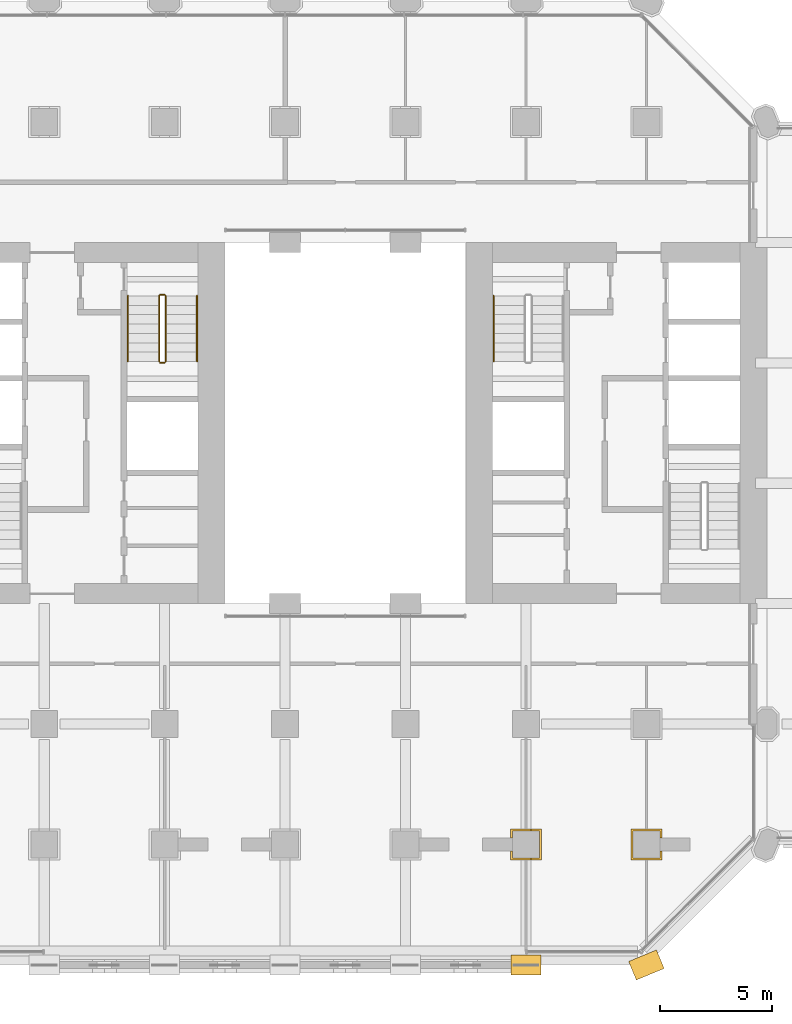
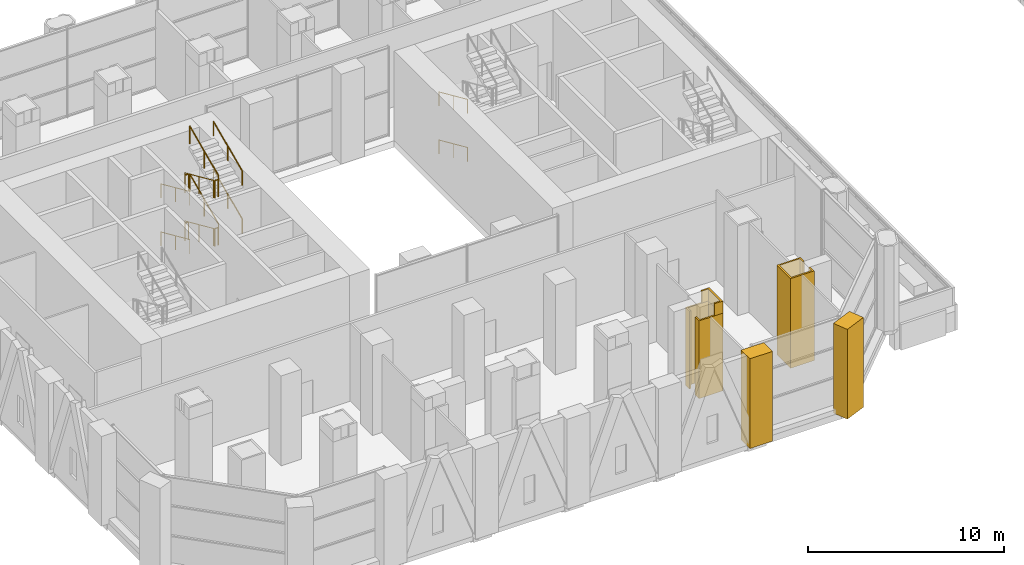
# One storey, part 24 of 34: 14 railings, 5 coverings.
"""IFC4 building model written with IfcOpenShell, lengths in metres."""

from ifc_helpers import new_model, si_unit, direction, frame, frame_2d, origin, origin_2d, place, context, subcontext, project, spatial, polyline, rectangle, circle, outline, extrude, material, layer, layer_set, type_object, element, save


model = new_model("IFC4")

# Units and contexts
model_context = context("Model", 3, precision=1e-05, world=origin(), true_north=direction((0.0, 1.0)))
body_context = subcontext(model_context, "Body", "Model", "MODEL_VIEW")
ifc_project = project(units=[si_unit("LENGTHUNIT", "METRE"), si_unit("AREAUNIT", "SQUARE_METRE"), si_unit("VOLUMEUNIT", "CUBIC_METRE"), si_unit("PLANEANGLEUNIT", "RADIAN"), si_unit("MASSUNIT", "GRAM", prefix="KILO")], contexts=[model_context])

# Site, building, storey
site_placement = place(None, origin())
site = spatial("IfcSite", under=ifc_project, at=site_placement, CompositionType="ELEMENT")
building_placement = place(site_placement, origin())
building = spatial("IfcBuilding", under=site, at=building_placement, Name="Tabaq Tower and Sports Hall", CompositionType="ELEMENT")
storey_placement = place(building_placement, frame((0.0, 0.0, 8.39990234375)))
storey = spatial("IfcBuildingStorey", under=building, at=storey_placement, Name="L01", CompositionType="ELEMENT", Elevation=8.39990234375)

# Coverings
ifc_material_1 = material(Name="Precast concrete C60/75", Category="concrete")
ifc_layer = layer(ifc_material_1, 0.10009765625)
ifc_layer_set = layer_set([ifc_layer], Name="Column cladding 100")
covering_type_1 = type_object("IfcCoveringType", Name="Column cladding 100", PredefinedType="CLADDING", material=ifc_layer_set)
covering_1_placement = place(storey_placement, origin())
element("IfcCovering", 1, at=covering_1_placement, inside=storey, type_object=covering_type_1, Name="Column cladding L01 CC-7B-P", PredefinedType="CLADDING", context=body_context, shape_type="SweptSolid", body=[
    extrude(outline(polyline([(33.099609375, 6.099609375), (33.099609375, 4.7001953125), (31.7001953125, 4.7001953125), (31.7001953125, 5.099609375), (31.7998046875, 5.099609375), (31.7998046875, 4.7998046875), (33.000244140625, 4.7998046875), (33.000244140625, 6.000244140625), (31.7998046875, 6.000244140625), (31.7998046875, 5.7001953125), (31.7001953125, 5.7001953125), (31.7001953125, 6.099609375), (33.099609375, 6.099609375)])), origin(), (0.0, 0.0, 1.0), 4.85009765625),
])
covering_2_placement = place(storey_placement, frame((0.0, 0.0, 4.85009765625)))
element("IfcCovering", 2, at=covering_2_placement, inside=storey, type_object=covering_type_1, Name="Column cladding L01 CC-7B-P head", PredefinedType="CLADDING", context=body_context, shape_type="SweptSolid", body=[
    extrude(outline(polyline([(32.62548828125, 4.79931640625), (33.00048828125, 4.79931640625), (33.00048828125, 6.00048828125), (32.62548828125, 6.00048828125), (32.62548828125, 6.099365234375), (33.099365234375, 6.099365234375), (33.099365234375, 4.70068359375), (32.62548828125, 4.70068359375), (32.62548828125, 4.79931640625)])), origin(), (0.0, 0.0, 1.0), 0.75),
])
covering_3_placement = place(storey_placement, origin())
element("IfcCovering", 3, at=covering_3_placement, inside=storey, type_object=covering_type_1, Name="Column cladding L01 CC-8B-P", PredefinedType="CLADDING", context=body_context, shape_type="SweptSolid", body=[
    extrude(outline(polyline([(38.499755859375, 6.099609375), (38.499755859375, 5.7001953125), (38.400390625, 5.7001953125), (38.400390625, 6.000244140625), (37.19970703125, 6.000244140625), (37.19970703125, 4.7998046875), (38.400390625, 4.7998046875), (38.400390625, 5.099609375), (38.499755859375, 5.099609375), (38.499755859375, 4.7001953125), (37.100341796875, 4.7001953125), (37.100341796875, 6.099609375), (38.499755859375, 6.099609375)])), origin(), (0.0, 0.0, 1.0), 5.60009765625),
])
ifc_material_2 = material(Name="White precast concrete C60/75", Category="concrete")
covering_type_2 = type_object("IfcCoveringType", Name="Pier cladding hung 1350x900", PredefinedType="CLADDING", material=ifc_material_2)
covering_4_placement = place(storey_placement, frame((31.72509765625, 0.0, 0.0), z_axis=(0.0, 0.0, 1.0), x_axis=(1.0, 0.0, 0.0)))
element("IfcCovering", 4, at=covering_4_placement, inside=storey, type_object=covering_type_2, Name="Hung pier cladding 6/0", PredefinedType="CLADDING", context=body_context, shape_type="SweptSolid", body=[
    extrude(rectangle(XDim=1.349853515625, YDim=0.89990234375, at=frame_2d((0.6748046875, 0.0))), origin(), (0.0, 0.0, 1.0), 5.60009765625),
])
covering_5_placement = place(storey_placement, frame((37.17626953125, -0.25830078125, 0.0), z_axis=(0.0, 0.0, 1.0), x_axis=(0.923893411637, 0.382649923473, 0.0)))
element("IfcCovering", 5, at=covering_5_placement, inside=storey, type_object=covering_type_2, Name="Hung pier cladding 7/0", PredefinedType="CLADDING", context=body_context, shape_type="SweptSolid", body=[
    extrude(rectangle(XDim=1.35009765625, YDim=0.89990234375, at=frame_2d((0.675048828125, 0.0))), origin(), (0.0, 0.0, 1.0), 5.60009765625),
])

# Railings
ifc_material_3 = material(Name="Stainless steel", Category="steel")
railing_type_1 = type_object("IfcRailingType", Name="Stair guard", PredefinedType="GUARDRAIL", material=ifc_material_3)
railing_1_placement = place(storey_placement, frame((15.949951171875, 30.0, 0.1875)))
element("IfcRailing", 6, at=railing_1_placement, inside=storey, type_object=railing_type_1, Name="L01 ST2 stair guard 1", PredefinedType="GUARDRAIL", context=body_context, shape_type="SweptSolid", body=[
    extrude(circle(Radius=0.02392578125, at=origin_2d()), frame((0.0, 0.0, 1.076171875), z_axis=(0.0, -0.913134858117, 0.407657614785), x_axis=(1.0, 0.0, 0.0)), (0.0, 0.0, 1.0), 3.2197265625),
    extrude(circle(Radius=0.02099609375, at=origin_2d()), origin(), (0.0, 0.0, 1.0), 1.052001953125),
    extrude(circle(Radius=0.02099609375, at=origin_2d()), frame((0.0, -1.469970703125, 0.65625)), (0.0, 0.0, 1.0), 1.052001953125),
    extrude(circle(Radius=0.02099609375, at=origin_2d()), frame((0.0, -2.93994140625, 1.3125)), (0.0, 0.0, 1.0), 1.052001953125),
])
railing_2_placement = place(storey_placement, frame((16.0, 27.010009765625, 1.5)))
element("IfcRailing", 7, at=railing_2_placement, inside=storey, type_object=railing_type_1, Name="L01 ST2 stair guard 2", PredefinedType="GUARDRAIL", context=body_context, shape_type="SweptSolid", body=[
    extrude(circle(Radius=0.02392578125, at=origin_2d()), frame((0.0, 0.0, 1.076171875), z_axis=(1.0, 0.0, 0.0), x_axis=(0.0, 1.0, 0.0)), (0.0, 0.0, 1.0), 0.199951171875),
    extrude(circle(Radius=0.02099609375, at=origin_2d()), origin(), (0.0, 0.0, 1.0), 1.052001953125),
    extrude(circle(Radius=0.02099609375, at=origin_2d()), frame((0.199951171875, 0.0, 0.0)), (0.0, 0.0, 1.0), 1.052001953125),
])
railing_3_placement = place(storey_placement, frame((16.25, 27.06005859375, 1.6875)))
element("IfcRailing", 8, at=railing_3_placement, inside=storey, type_object=railing_type_1, Name="L01 ST2 stair guard 3", PredefinedType="GUARDRAIL", context=body_context, shape_type="SweptSolid", body=[
    extrude(circle(Radius=0.02392578125, at=origin_2d()), frame((0.0, 0.0, 1.076171875), z_axis=(0.0, 0.913134858117, 0.407657614785), x_axis=(-1.0, 0.0, 0.0)), (0.0, 0.0, 1.0), 3.2197265625),
    extrude(circle(Radius=0.02099609375, at=origin_2d()), origin(), (0.0, 0.0, 1.0), 1.052001953125),
    extrude(circle(Radius=0.02099609375, at=origin_2d()), frame((0.0, 1.469970703125, 0.65625)), (0.0, 0.0, 1.0), 1.052001953125),
    extrude(circle(Radius=0.02099609375, at=origin_2d()), frame((0.0, 2.93994140625, 1.3125)), (0.0, 0.0, 1.0), 1.052001953125),
])
railing_4_placement = place(storey_placement, frame((16.0, 30.050048828125, 3.0)))
element("IfcRailing", 9, at=railing_4_placement, inside=storey, type_object=railing_type_1, Name="L01 ST2 stair guard 4", PredefinedType="GUARDRAIL", context=body_context, shape_type="SweptSolid", body=[
    extrude(circle(Radius=0.02392578125, at=origin_2d()), frame((0.0, 0.0, 1.076171875), z_axis=(1.0, 0.0, 0.0), x_axis=(0.0, 1.0, 0.0)), (0.0, 0.0, 1.0), 0.199951171875),
    extrude(circle(Radius=0.02099609375, at=origin_2d()), origin(), (0.0, 0.0, 1.0), 1.052001953125),
    extrude(circle(Radius=0.02099609375, at=origin_2d()), frame((0.199951171875, 0.0, 0.0)), (0.0, 0.0, 1.0), 1.052001953125),
])
railing_5_placement = place(storey_placement, frame((15.949951171875, 30.0, 3.1875)))
element("IfcRailing", 10, at=railing_5_placement, inside=storey, type_object=railing_type_1, Name="L01 ST2 stair guard 5", PredefinedType="GUARDRAIL", context=body_context, shape_type="SweptSolid", body=[
    extrude(circle(Radius=0.02392578125, at=origin_2d()), frame((0.0, 0.0, 1.076171875), z_axis=(0.0, -0.913134858117, 0.407657614785), x_axis=(1.0, 0.0, 0.0)), (0.0, 0.0, 1.0), 3.2197265625),
    extrude(circle(Radius=0.02099609375, at=origin_2d()), origin(), (0.0, 0.0, 1.0), 1.052001953125),
    extrude(circle(Radius=0.02099609375, at=origin_2d()), frame((0.0, -1.469970703125, 0.65625)), (0.0, 0.0, 1.0), 1.052001953125),
    extrude(circle(Radius=0.02099609375, at=origin_2d()), frame((0.0, -2.93994140625, 1.3125)), (0.0, 0.0, 1.0), 1.052001953125),
])
railing_6_placement = place(storey_placement, frame((16.0, 27.010009765625, 4.5)))
element("IfcRailing", 11, at=railing_6_placement, inside=storey, type_object=railing_type_1, Name="L01 ST2 stair guard 6", PredefinedType="GUARDRAIL", context=body_context, shape_type="SweptSolid", body=[
    extrude(circle(Radius=0.02392578125, at=origin_2d()), frame((0.0, 0.0, 1.076171875), z_axis=(1.0, 0.0, 0.0), x_axis=(0.0, 1.0, 0.0)), (0.0, 0.0, 1.0), 0.199951171875),
    extrude(circle(Radius=0.02099609375, at=origin_2d()), origin(), (0.0, 0.0, 1.0), 1.052001953125),
    extrude(circle(Radius=0.02099609375, at=origin_2d()), frame((0.199951171875, 0.0, 0.0)), (0.0, 0.0, 1.0), 1.052001953125),
])
railing_7_placement = place(storey_placement, frame((16.25, 27.06005859375, 4.6875)))
element("IfcRailing", 12, at=railing_7_placement, inside=storey, type_object=railing_type_1, Name="L01 ST2 stair guard 7", PredefinedType="GUARDRAIL", context=body_context, shape_type="SweptSolid", body=[
    extrude(circle(Radius=0.02392578125, at=origin_2d()), frame((0.0, 0.0, 1.076171875), z_axis=(0.0, 0.913134858117, 0.407657614785), x_axis=(-1.0, 0.0, 0.0)), (0.0, 0.0, 1.0), 3.2197265625),
    extrude(circle(Radius=0.02099609375, at=origin_2d()), origin(), (0.0, 0.0, 1.0), 1.052001953125),
    extrude(circle(Radius=0.02099609375, at=origin_2d()), frame((0.0, 1.469970703125, 0.65625)), (0.0, 0.0, 1.0), 1.052001953125),
    extrude(circle(Radius=0.02099609375, at=origin_2d()), frame((0.0, 2.93994140625, 1.3125)), (0.0, 0.0, 1.0), 1.052001953125),
])
railing_8_placement = place(storey_placement, frame((16.0, 30.050048828125, 0.0)))
element("IfcRailing", 13, at=railing_8_placement, inside=storey, type_object=railing_type_1, Name="L01 ST2 stair guard 8", PredefinedType="GUARDRAIL", context=body_context, shape_type="SweptSolid", body=[
    extrude(circle(Radius=0.02392578125, at=origin_2d()), frame((0.0, 0.0, 1.076171875), z_axis=(1.0, 0.0, 0.0), x_axis=(0.0, 1.0, 0.0)), (0.0, 0.0, 1.0), 0.199951171875),
    extrude(circle(Radius=0.02099609375, at=origin_2d()), origin(), (0.0, 0.0, 1.0), 1.052001953125),
    extrude(circle(Radius=0.02099609375, at=origin_2d()), frame((0.199951171875, 0.0, 0.0)), (0.0, 0.0, 1.0), 1.052001953125),
])
ifc_material_4 = material(Name="Stainless steel", Category="steel")
railing_type_2 = type_object("IfcRailingType", Name="Stair handrail", PredefinedType="HANDRAIL", material=ifc_material_4)
railing_9_placement = place(storey_placement, frame((14.550048828125, 30.0, 0.1875)))
element("IfcRailing", 14, at=railing_9_placement, inside=storey, type_object=railing_type_2, Name="L01 ST2 stair handrail 1", PredefinedType="HANDRAIL", context=body_context, shape_type="SweptSolid", body=[
    extrude(circle(Radius=0.02392578125, at=origin_2d()), frame((0.0, 0.0, 0.8759765625), z_axis=(0.0, -0.913134858117, 0.407657614785), x_axis=(1.0, 0.0, 0.0)), (0.0, 0.0, 1.0), 3.2197265625),
    extrude(circle(Radius=0.02099609375, at=origin_2d()), origin(), (0.0, 0.0, 1.0), 0.851806640625),
    extrude(circle(Radius=0.02099609375, at=origin_2d()), frame((0.0, -1.469970703125, 0.65625)), (0.0, 0.0, 1.0), 0.851806640625),
    extrude(circle(Radius=0.02099609375, at=origin_2d()), frame((0.0, -2.93994140625, 1.3125)), (0.0, 0.0, 1.0), 0.851806640625),
])
railing_10_placement = place(storey_placement, frame((17.64990234375, 27.06005859375, 1.6875)))
element("IfcRailing", 15, at=railing_10_placement, inside=storey, type_object=railing_type_2, Name="L01 ST2 stair handrail 2", PredefinedType="HANDRAIL", context=body_context, shape_type="SweptSolid", body=[
    extrude(circle(Radius=0.02392578125, at=origin_2d()), frame((0.0, 0.0, 0.8759765625), z_axis=(0.0, 0.913134858117, 0.407657614785), x_axis=(-1.0, 0.0, 0.0)), (0.0, 0.0, 1.0), 3.2197265625),
    extrude(circle(Radius=0.02099609375, at=origin_2d()), origin(), (0.0, 0.0, 1.0), 0.851806640625),
    extrude(circle(Radius=0.02099609375, at=origin_2d()), frame((0.0, 1.469970703125, 0.65625)), (0.0, 0.0, 1.0), 0.851806640625),
    extrude(circle(Radius=0.02099609375, at=origin_2d()), frame((0.0, 2.93994140625, 1.3125)), (0.0, 0.0, 1.0), 0.851806640625),
])
railing_11_placement = place(storey_placement, frame((14.550048828125, 30.0, 3.1875)))
element("IfcRailing", 16, at=railing_11_placement, inside=storey, type_object=railing_type_2, Name="L01 ST2 stair handrail 3", PredefinedType="HANDRAIL", context=body_context, shape_type="SweptSolid", body=[
    extrude(circle(Radius=0.02392578125, at=origin_2d()), frame((0.0, 0.0, 0.8759765625), z_axis=(0.0, -0.913134858117, 0.407657614785), x_axis=(1.0, 0.0, 0.0)), (0.0, 0.0, 1.0), 3.2197265625),
    extrude(circle(Radius=0.02099609375, at=origin_2d()), origin(), (0.0, 0.0, 1.0), 0.851806640625),
    extrude(circle(Radius=0.02099609375, at=origin_2d()), frame((0.0, -1.469970703125, 0.65625)), (0.0, 0.0, 1.0), 0.851806640625),
    extrude(circle(Radius=0.02099609375, at=origin_2d()), frame((0.0, -2.93994140625, 1.3125)), (0.0, 0.0, 1.0), 0.851806640625),
])
railing_12_placement = place(storey_placement, frame((17.64990234375, 27.06005859375, 4.6875)))
element("IfcRailing", 17, at=railing_12_placement, inside=storey, type_object=railing_type_2, Name="L01 ST2 stair handrail 4", PredefinedType="HANDRAIL", context=body_context, shape_type="SweptSolid", body=[
    extrude(circle(Radius=0.02392578125, at=origin_2d()), frame((0.0, 0.0, 0.8759765625), z_axis=(0.0, 0.913134858117, 0.407657614785), x_axis=(-1.0, 0.0, 0.0)), (0.0, 0.0, 1.0), 3.2197265625),
    extrude(circle(Radius=0.02099609375, at=origin_2d()), origin(), (0.0, 0.0, 1.0), 0.851806640625),
    extrude(circle(Radius=0.02099609375, at=origin_2d()), frame((0.0, 1.469970703125, 0.65625)), (0.0, 0.0, 1.0), 0.851806640625),
    extrude(circle(Radius=0.02099609375, at=origin_2d()), frame((0.0, 2.93994140625, 1.3125)), (0.0, 0.0, 1.0), 0.851806640625),
])
for number, where, name in (
    (18, (30.949951171875, 30.0, 0.1875), "L01 ST4 stair handrail 1"),
    (19, (30.949951171875, 30.0, 3.1875), "L01 ST4 stair handrail 3"),
):
    element("IfcRailing", number, at=place(storey_placement, frame(where)), inside=storey, type_object=railing_type_2, Name=name, PredefinedType="HANDRAIL", context=body_context, shape_type="SweptSolid", body=[
        extrude(circle(Radius=0.02392578125, at=origin_2d()), frame((0.0, 0.0, 0.8759765625), z_axis=(0.0, -0.913134858117, 0.407657614785), x_axis=(1.0, 0.0, 0.0)), (0.0, 0.0, 1.0), 3.2197265625),
        extrude(circle(Radius=0.02099609375, at=origin_2d()), origin(), (0.0, 0.0, 1.0), 0.851806640625),
        extrude(circle(Radius=0.02099609375, at=origin_2d()), frame((0.0, -1.469970703125, 0.65625)), (0.0, 0.0, 1.0), 0.851806640625),
        extrude(circle(Radius=0.02099609375, at=origin_2d()), frame((0.0, -2.93994140625, 1.3125)), (0.0, 0.0, 1.0), 0.851806640625),
    ])

save(model, "model.ifc")
